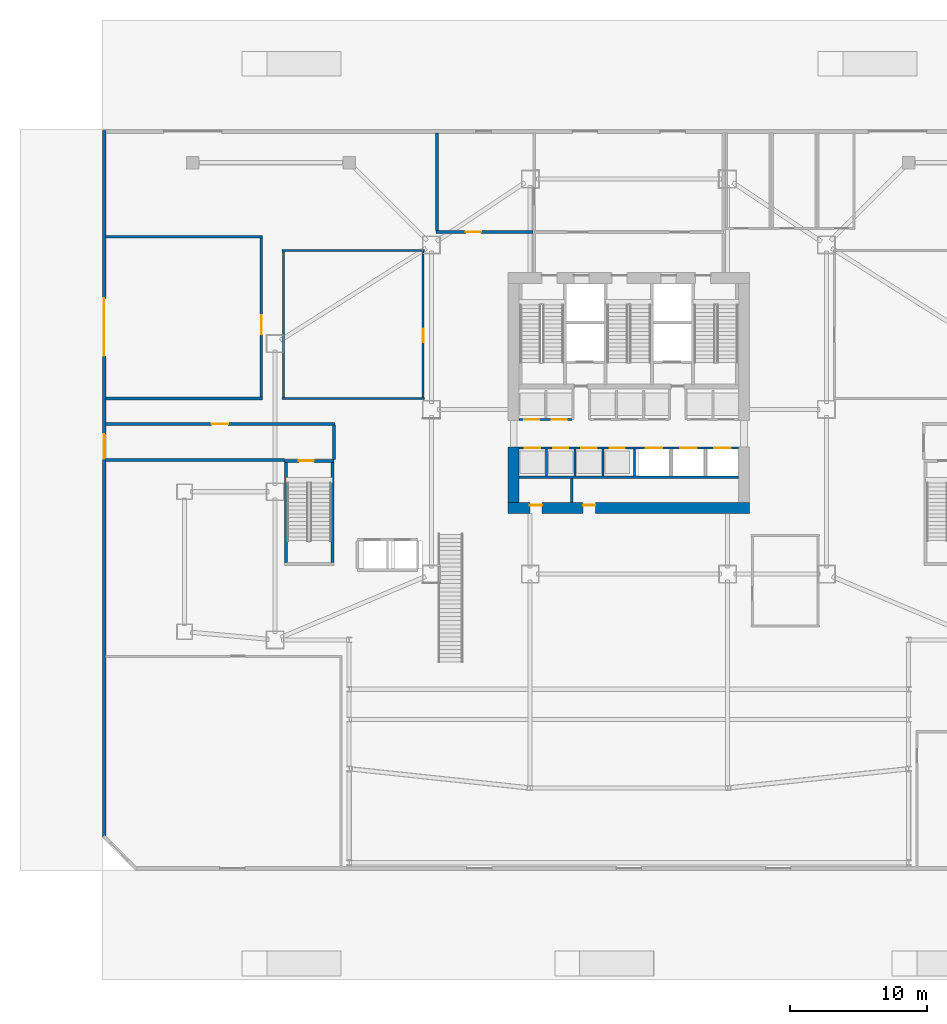
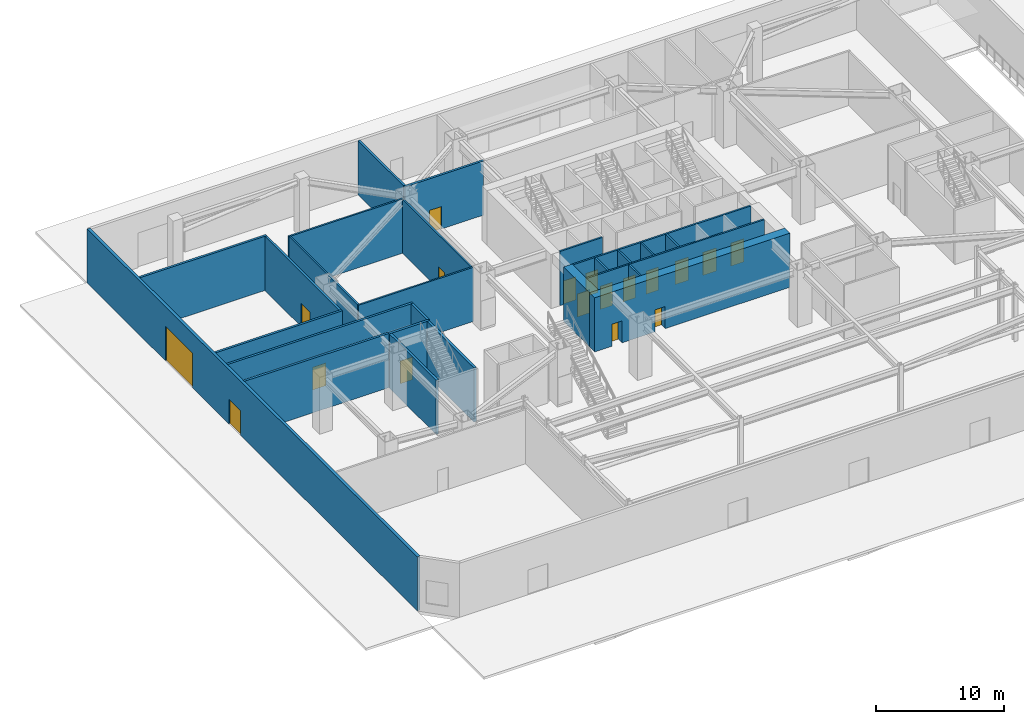
# One storey, part 10 of 20: 26 walls, 18 doors, 18 openings.
"""IFC4 building model written with IfcOpenShell, lengths in metres."""

from ifc_helpers import new_model, si_unit, direction, frame, frame_2d, origin, place, context, subcontext, project, spatial, rectangle, extrude, material, layer, layer_set, type_object, element, fill, save


model = new_model("IFC4")

# Units and contexts
model_context = context("Model", 3, precision=1e-05, world=origin(), true_north=direction((0.0, 1.0)))
body_context = subcontext(model_context, "Body", "Model", "MODEL_VIEW")
ifc_project = project(units=[si_unit("LENGTHUNIT", "METRE"), si_unit("AREAUNIT", "SQUARE_METRE"), si_unit("VOLUMEUNIT", "CUBIC_METRE"), si_unit("PLANEANGLEUNIT", "RADIAN"), si_unit("MASSUNIT", "GRAM", prefix="KILO")], contexts=[model_context])

# Site, building, storey
site_placement = place(None, origin())
site = spatial("IfcSite", under=ifc_project, at=site_placement, CompositionType="ELEMENT")
building_placement = place(site_placement, origin())
building = spatial("IfcBuilding", under=site, at=building_placement, Name="Haolan Belvedere Tower", CompositionType="ELEMENT")
storey_placement = place(building_placement, origin())
storey = spatial("IfcBuildingStorey", under=building, at=storey_placement, Name="L00", CompositionType="ELEMENT", Elevation=0.0)

# Wall, openings, doors
ifc_material_1 = material(Name="Concrete C70/85", Category="concrete")
ifc_layer_1 = layer(ifc_material_1, 0.800048828125, Name="Concrete C70/85")
ifc_layer_set_1 = layer_set([ifc_layer_1], Name="Concrete C70/85")
wall_type_1 = type_object("IfcWallType", Name="WL-CORE-800", PredefinedType="SHEAR", material=ifc_layer_set_1)
wall_1_placement = place(storey_placement, frame((29.60009765625, 26.39990234375, 0.0), z_axis=(0.0, 0.0, 1.0), x_axis=(1.0, 0.0, 0.0)))
wall_1 = element("IfcWall", 1, at=wall_1_placement, inside=storey, type_object=wall_type_1, Name="L00 central core south shear wall", PredefinedType="SHEAR", context=body_context, shape_type="SweptSolid", body=[
    extrude(rectangle(XDim=17.599853515625, YDim=0.800048828125, at=frame_2d((8.7998046875, 0.0))), origin(), (0.0, 0.0, 1.0), 5.159912109375),
])
opening_1_placement = place(wall_1_placement, frame((2.469970703125, 0.0, 0.0), z_axis=(0.0, 0.0, 1.0), x_axis=(-1.0, 0.0, 0.0)))
opening_1 = element("IfcOpeningElement", 2, at=opening_1_placement, cuts=wall_1, Name="Opening FD-05", PredefinedType="OPENING", context=body_context, shape_type="SweptSolid", body=[
    extrude(rectangle(XDim=0.89990234375, YDim=2.10009765625, at=frame_2d((0.449951171875, 1.050048828125))), frame((0.0, 0.409912109375, 0.0), z_axis=(0.0, -1.0, 0.0), x_axis=(1.0, 0.0, 0.0)), (0.0, 0.0, 1.0), 0.820068359375),
])
opening_2_placement = place(wall_1_placement, frame((6.35986328125, 0.0, 0.0), z_axis=(0.0, 0.0, 1.0), x_axis=(-1.0, 0.0, 0.0)))
opening_2 = element("IfcOpeningElement", 3, at=opening_2_placement, cuts=wall_1, Name="Opening FD-05", PredefinedType="OPENING", context=body_context, shape_type="SweptSolid", body=[
    extrude(rectangle(XDim=0.89990234375, YDim=2.10009765625, at=frame_2d((0.449951171875, 1.050048828125))), frame((0.0, 0.409912109375, 0.0), z_axis=(0.0, -1.0, 0.0), x_axis=(1.0, 0.0, 0.0)), (0.0, 0.0, 1.0), 0.820068359375),
])
ifc_material_2 = material(Name="Galvanised fire-rated steel", Category="steel")
door_type_1 = type_object("IfcDoorType", Name="DR-FD60-900", OperationType="NOTDEFINED", PredefinedType="DOOR", material=ifc_material_2)
door_1_placement = place(opening_1_placement, origin())
door_1 = element("IfcDoor", 4, at=door_1_placement, inside=storey, type_object=door_type_1, Name="L00 door CD-L00-SCV-1", OperationType="SINGLE_SWING_LEFT", OverallHeight=2.10009765625, OverallWidth=0.89990234375, PredefinedType="DOOR", context=body_context, shape_type="SweptSolid", body=[
    extrude(rectangle(XDim=0.89990234375, YDim=2.10009765625, at=frame_2d((0.449951171875, 1.050048828125))), frame((0.0, -0.19482421875, 0.0), z_axis=(0.0, -1.0, 0.0), x_axis=(1.0, 0.0, 0.0)), (0.0, 0.0, 1.0), 0.050048828125),
])
fill(opening_1, door_1)
door_2_placement = place(opening_2_placement, origin())
door_2 = element("IfcDoor", 5, at=door_2_placement, inside=storey, type_object=door_type_1, Name="L00 door CD-L00-SCV-2", OperationType="SINGLE_SWING_RIGHT", OverallHeight=2.10009765625, OverallWidth=0.89990234375, PredefinedType="DOOR", context=body_context, shape_type="SweptSolid", body=[
    extrude(rectangle(XDim=0.89990234375, YDim=2.10009765625, at=frame_2d((0.449951171875, 1.050048828125))), frame((0.0, -0.19482421875, 0.0), z_axis=(0.0, -1.0, 0.0), x_axis=(1.0, 0.0, 0.0)), (0.0, 0.0, 1.0), 0.050048828125),
])
fill(opening_2, door_2)

# Wall
wall_2_placement = place(storey_placement, frame((30.0, 26.800048828125, 0.0), z_axis=(0.0, 0.0, 1.0), x_axis=(0.0, 1.0, 0.0)))
element("IfcWall", 6, at=wall_2_placement, inside=storey, type_object=wall_type_1, Name="L00 central core shear wall WS", PredefinedType="SHEAR", context=body_context, shape_type="SweptSolid", body=[
    extrude(rectangle(XDim=4.050048828125, YDim=0.800048828125, at=frame_2d((2.02490234375, 0.0))), origin(), (0.0, 0.0, 1.0), 5.159912109375),
])

# Wall, openings, doors
ifc_material_3 = material(Name="Precast concrete C40/50", Category="concrete")
ifc_layer_2 = layer(ifc_material_3, 0.260009765625, Name="Precast concrete C40/50")
ifc_layer_set_2 = layer_set([ifc_layer_2], Name="Precast concrete C40/50")
wall_type_2 = type_object("IfcWallType", Name="WL-EXT-260", PredefinedType="SOLIDWALL", material=ifc_layer_set_2)
wall_3_placement = place(storey_placement, frame((0.1298828125, 53.925048828125, 0.0), z_axis=(0.0, 0.0, 1.0), x_axis=(0.0, -1.0, 0.0)))
wall_3 = element("IfcWall", 7, at=wall_3_placement, inside=storey, type_object=wall_type_2, Name="L00 pale-metal exterior spandrel wall 4.1", PredefinedType="SOLIDWALL", context=body_context, shape_type="SweptSolid", body=[
    extrude(rectangle(XDim=51.5263671875, YDim=0.260009765625, at=frame_2d((25.76318359375, 0.0))), origin(), (0.0, 0.0, 1.0), 5.159912109375),
])
opening_3_placement = place(wall_3_placement, frame((23.925048828125, 0.0, 0.0), z_axis=(0.0, 0.0, 1.0), x_axis=(-1.0, 0.0, 0.0)))
opening_3 = element("IfcOpeningElement", 8, at=opening_3_placement, cuts=wall_3, Name="Opening ED-01", PredefinedType="OPENING", context=body_context, shape_type="SweptSolid", body=[
    extrude(rectangle(XDim=1.800048828125, YDim=2.35009765625, at=frame_2d((0.89990234375, 1.175048828125))), frame((0.0, 0.139892578125, 0.0), z_axis=(0.0, -1.0, 0.0), x_axis=(1.0, 0.0, 0.0)), (0.0, 0.0, 1.0), 0.280029296875),
])
opening_4_placement = place(wall_3_placement, frame((16.425048828125, 0.0, 0.0), z_axis=(0.0, 0.0, 1.0), x_axis=(-1.0, 0.0, 0.0)))
opening_4 = element("IfcOpeningElement", 9, at=opening_4_placement, cuts=wall_3, Name="Opening VG-02", PredefinedType="OPENING", context=body_context, shape_type="SweptSolid", body=[
    extrude(rectangle(XDim=4.199951171875, YDim=3.300048828125, at=frame_2d((2.10009765625, 1.64990234375))), frame((0.0, 0.139892578125, 0.0), z_axis=(0.0, -1.0, 0.0), x_axis=(1.0, 0.0, 0.0)), (0.0, 0.0, 1.0), 0.280029296875),
])
ifc_material_4 = material(Name="Anodised aluminium and tempered glass", Category="aluminium")
door_type_2 = type_object("IfcDoorType", Name="DR-EXT-EXIT-1800", OperationType="DOUBLE_DOOR_SINGLE_SWING", PredefinedType="DOOR", material=ifc_material_4)
door_3_placement = place(opening_3_placement, origin())
door_3 = element("IfcDoor", 10, at=door_3_placement, inside=storey, type_object=door_type_2, Name="L00 west stair ST4 exit discharge door", OperationType="DOUBLE_DOOR_SINGLE_SWING", OverallHeight=2.35009765625, OverallWidth=1.800048828125, PredefinedType="DOOR", context=body_context, shape_type="SweptSolid", body=[
    extrude(rectangle(XDim=1.800048828125, YDim=2.35009765625, at=frame_2d((0.89990234375, 1.175048828125))), frame((0.0, 0.02490234375, 0.0), z_axis=(0.0, -1.0, 0.0), x_axis=(1.0, 0.0, 0.0)), (0.0, 0.0, 1.0), 0.050048828125),
])
fill(opening_3, door_3)
ifc_material_5 = material(Name="Insulated aluminium service bay shutter gate", Category="aluminium")
door_type_3 = type_object("IfcDoorType", Name="DR-GATE-4200", OperationType="SLIDING_TO_RIGHT", PredefinedType="GATE", material=ifc_material_5)
door_4_placement = place(opening_4_placement, origin())
door_4 = element("IfcDoor", 11, at=door_4_placement, inside=storey, type_object=door_type_3, Name="L00 west loading bay service vehicle gate VG-02", OperationType="SLIDING_TO_RIGHT", OverallHeight=3.300048828125, OverallWidth=4.199951171875, PredefinedType="GATE", context=body_context, shape_type="SweptSolid", body=[
    extrude(rectangle(XDim=4.199951171875, YDim=3.300048828125, at=frame_2d((2.10009765625, 1.64990234375))), frame((0.0, 0.02490234375, 0.0), z_axis=(0.0, -1.0, 0.0), x_axis=(1.0, 0.0, 0.0)), (0.0, 0.0, 1.0), 0.050048828125),
])
fill(opening_4, door_4)

# Wall, opening, door
ifc_material_6 = material(Name="Concrete C40/50", Category="concrete")
ifc_layer_3 = layer(ifc_material_6, 0.199951171875, Name="Concrete C40/50")
ifc_layer_set_3 = layer_set([ifc_layer_3], Name="Concrete C40/50")
wall_type_3 = type_object("IfcWallType", Name="WL-FIRE-200", PredefinedType="SOLIDWALL", material=ifc_layer_set_3)
wall_4_placement = place(storey_placement, frame((0.2451171875, 32.550048828125, 0.0), z_axis=(0.0, 0.0, 1.0), x_axis=(1.0, 0.0, 0.0)))
wall_4 = element("IfcWall", 12, at=wall_4_placement, inside=storey, type_object=wall_type_3, Name="L00 interior partition IW-L00-EXP-W-N", PredefinedType="SOLIDWALL", context=body_context, shape_type="SweptSolid", body=[
    extrude(rectangle(XDim=16.73486328125, YDim=0.199951171875, at=frame_2d((8.367431640625, 0.0))), origin(), (0.0, 0.0, 1.0), 5.159912109375),
])
opening_5_placement = place(wall_4_placement, frame((8.925048828125, 0.0, 0.0), z_axis=(0.0, 0.0, 1.0), x_axis=(-1.0, 0.0, 0.0)))
opening_5 = element("IfcOpeningElement", 13, at=opening_5_placement, cuts=wall_4, Name="Opening FD-02", PredefinedType="OPENING", context=body_context, shape_type="SweptSolid", body=[
    extrude(rectangle(XDim=1.199951171875, YDim=2.14990234375, at=frame_2d((0.60009765625, 1.074951171875))), frame((0.0, 0.10986328125, 0.0), z_axis=(0.0, -1.0, 0.0), x_axis=(1.0, 0.0, 0.0)), (0.0, 0.0, 1.0), 0.219970703125),
])
door_type_4 = type_object("IfcDoorType", Name="DR-FD90-1200", OperationType="NOTDEFINED", PredefinedType="DOOR", material=ifc_material_2)
door_5_placement = place(opening_5_placement, origin())
door_5 = element("IfcDoor", 14, at=door_5_placement, inside=storey, type_object=door_type_4, Name="L00 door ID-L00-EXP-W", OperationType="SINGLE_SWING_LEFT", OverallHeight=2.14990234375, OverallWidth=1.199951171875, PredefinedType="DOOR", context=body_context, shape_type="SweptSolid", body=[
    extrude(rectangle(XDim=1.199951171875, YDim=2.14990234375, at=frame_2d((0.60009765625, 1.074951171875))), frame((0.0, 0.02490234375, 0.0), z_axis=(0.0, -1.0, 0.0), x_axis=(1.0, 0.0, 0.0)), (0.0, 0.0, 1.0), 0.050048828125),
])
fill(opening_5, door_5)

# Walls
wall_5_placement = place(storey_placement, frame((16.89990234375, 29.955078125, 0.0), z_axis=(0.0, 0.0, 1.0), x_axis=(0.0, 1.0, 0.0)))
element("IfcWall", 15, at=wall_5_placement, inside=storey, type_object=wall_type_3, Name="L00 interior partition IW-L00-EXP-W-E", PredefinedType="SOLIDWALL", context=body_context, shape_type="SweptSolid", body=[
    extrude(rectangle(XDim=2.510009765625, YDim=0.199951171875, at=frame_2d((1.2548828125, 0.0))), origin(), (0.0, 0.0, 1.0), 5.159912109375),
])
wall_6_placement = place(storey_placement, frame((0.25, 29.919921875, 0.0), z_axis=(0.0, 0.0, 1.0), x_axis=(1.0, 0.0, 0.0)))
element("IfcWall", 16, at=wall_6_placement, inside=storey, type_object=wall_type_3, Name="L00 interior partition IW-L00-EXP-W-SW", PredefinedType="SOLIDWALL", context=body_context, shape_type="SweptSolid", body=[
    extrude(rectangle(XDim=13.028076171875, YDim=0.199951171875, at=frame_2d((6.51416015625, 0.0))), origin(), (0.0, 0.0, 1.0), 5.159912109375),
])

# Wall, opening, door
wall_7_placement = place(storey_placement, frame((24.320068359375, 46.550048828125, 0.0), z_axis=(0.0, 0.0, 1.0), x_axis=(1.0, 0.0, 0.0)))
wall_7 = element("IfcWall", 17, at=wall_7_placement, inside=storey, type_object=wall_type_3, Name="L00 interior partition IW-L00-FCR-S", PredefinedType="SOLIDWALL", context=body_context, shape_type="SweptSolid", body=[
    extrude(rectangle(XDim=7.094970703125, YDim=0.199951171875, at=frame_2d((3.54736328125, 0.0))), origin(), (0.0, 0.0, 1.0), 5.159912109375),
])
opening_6_placement = place(wall_7_placement, frame((2.199951171875, 0.0, 0.0)))
opening_6 = element("IfcOpeningElement", 18, at=opening_6_placement, cuts=wall_7, Name="Opening FD-03", PredefinedType="OPENING", context=body_context, shape_type="SweptSolid", body=[
    extrude(rectangle(XDim=1.10009765625, YDim=2.14990234375, at=frame_2d((0.550048828125, 1.074951171875))), frame((0.0, 0.10986328125, 0.0), z_axis=(0.0, -1.0, 0.0), x_axis=(1.0, 0.0, 0.0)), (0.0, 0.0, 1.0), 0.219970703125),
])
door_type_5 = type_object("IfcDoorType", Name="DR-FD90-1100", OperationType="NOTDEFINED", PredefinedType="DOOR", material=ifc_material_2)
door_6_placement = place(opening_6_placement, origin())
door_6 = element("IfcDoor", 19, at=door_6_placement, inside=storey, type_object=door_type_5, Name="L00 door ID-L00-FCR", OperationType="SINGLE_SWING_LEFT", OverallHeight=2.14990234375, OverallWidth=1.10009765625, PredefinedType="DOOR", context=body_context, shape_type="SweptSolid", body=[
    extrude(rectangle(XDim=1.10009765625, YDim=2.14990234375, at=frame_2d((0.550048828125, 1.074951171875))), frame((0.0, 0.02490234375, 0.0), z_axis=(0.0, -1.0, 0.0), x_axis=(1.0, 0.0, 0.0)), (0.0, 0.0, 1.0), 0.050048828125),
])
fill(opening_6, door_6)

# Walls
wall_8_placement = place(storey_placement, frame((24.39990234375, 46.635009765625, 0.0), z_axis=(0.0, 0.0, 1.0), x_axis=(0.0, 1.0, 0.0)))
element("IfcWall", 20, at=wall_8_placement, inside=storey, type_object=wall_type_3, Name="L00 interior partition IW-L00-FCR-W", PredefinedType="SOLIDWALL", context=body_context, shape_type="SweptSolid", body=[
    extrude(rectangle(XDim=7.119873046875, YDim=0.199951171875, at=frame_2d((3.56005859375, 0.0))), origin(), (0.0, 0.0, 1.0), 5.159912109375),
])
for number, where, z_axis, x_axis, name in (
    (21, (0.2451171875, 46.199951171875, 0.0), (0.0, 0.0, 1.0), (1.0, 0.0, 0.0), "L00 interior partition IW-L00-LOAD-N"),
    (22, (0.2451171875, 34.39990234375, 0.0), (0.0, 0.0, 1.0), (1.0, 0.0, 0.0), "L00 interior partition IW-L00-LOAD-S"),
):
    element("IfcWall", number, at=place(storey_placement, frame(where, z_axis=z_axis, x_axis=x_axis)), inside=storey, type_object=wall_type_3, Name=name, PredefinedType="SOLIDWALL", context=body_context, shape_type="SweptSolid", body=[
        extrude(rectangle(XDim=11.434814453125, YDim=0.199951171875, at=frame_2d((5.71728515625, 0.0))), origin(), (0.0, 0.0, 1.0), 5.159912109375),
    ])

# Wall, opening, door
wall_9_placement = place(storey_placement, frame((11.60009765625, 34.485107421875, 0.0), z_axis=(0.0, 0.0, 1.0), x_axis=(0.0, 1.0, 0.0)))
wall_9 = element("IfcWall", 23, at=wall_9_placement, inside=storey, type_object=wall_type_3, Name="L00 interior partition IW-L00-LOAD-E", PredefinedType="SOLIDWALL", context=body_context, shape_type="SweptSolid", body=[
    extrude(rectangle(XDim=11.6298828125, YDim=0.199951171875, at=frame_2d((5.81494140625, 0.0))), origin(), (0.0, 0.0, 1.0), 5.159912109375),
])
opening_7_placement = place(wall_9_placement, frame((4.583984375, 0.0, 0.0)))
opening_7 = element("IfcOpeningElement", 24, at=opening_7_placement, cuts=wall_9, Name="Opening FD-01", PredefinedType="OPENING", context=body_context, shape_type="SweptSolid", body=[
    extrude(rectangle(XDim=1.39990234375, YDim=2.199951171875, at=frame_2d((0.699951171875, 1.10009765625))), frame((0.0, 0.10986328125, 0.0), z_axis=(0.0, -1.0, 0.0), x_axis=(1.0, 0.0, 0.0)), (0.0, 0.0, 1.0), 0.219970703125),
])
door_type_6 = type_object("IfcDoorType", Name="DR-FD90-1400", OperationType="DOUBLE_DOOR_SINGLE_SWING", PredefinedType="DOOR", material=ifc_material_2)
door_7_placement = place(opening_7_placement, origin())
door_7 = element("IfcDoor", 25, at=door_7_placement, inside=storey, type_object=door_type_6, Name="L00 door ID-L00-LOAD", OperationType="DOUBLE_DOOR_SINGLE_SWING", OverallHeight=2.199951171875, OverallWidth=1.39990234375, PredefinedType="DOOR", context=body_context, shape_type="SweptSolid", body=[
    extrude(rectangle(XDim=1.39990234375, YDim=2.199951171875, at=frame_2d((0.699951171875, 1.10009765625))), frame((0.0, 0.02490234375, 0.0), z_axis=(0.0, -1.0, 0.0), x_axis=(1.0, 0.0, 0.0)), (0.0, 0.0, 1.0), 0.050048828125),
])
fill(opening_7, door_7)

# Walls
ifc_material_7 = material(Name="Double gypsum acoustic stud partition", Category="masonry")
ifc_layer_4 = layer(ifc_material_7, 0.14990234375, Name="Double gypsum acoustic stud partition")
ifc_layer_set_4 = layer_set([ifc_layer_4], Name="Double gypsum acoustic stud partition")
wall_type_4 = type_object("IfcWallType", Name="WL-PART-150", PredefinedType="PARTITIONING", material=ifc_layer_set_4)
wall_10_placement = place(storey_placement, frame((30.39990234375, 28.659912109375, 0.0), z_axis=(0.0, 0.0, 1.0), x_axis=(1.0, 0.0, 0.0)))
element("IfcWall", 26, at=wall_10_placement, inside=storey, type_object=wall_type_4, Name="L00 interior partition IW-L00-SSTRIP-N", PredefinedType="PARTITIONING", context=body_context, shape_type="SweptSolid", body=[
    extrude(rectangle(XDim=16.0, YDim=0.14990234375, at=frame_2d((8.0, 0.0))), origin(), (0.0, 0.0, 1.0), 5.159912109375),
])
wall_11_placement = place(storey_placement, frame((34.22998046875, 26.81005859375, 0.0), z_axis=(0.0, 0.0, 1.0), x_axis=(0.0, 1.0, 0.0)))
element("IfcWall", 27, at=wall_11_placement, inside=storey, type_object=wall_type_4, Name="L00 interior partition IW-L00-SCV-DIV-1", PredefinedType="PARTITIONING", context=body_context, shape_type="SweptSolid", body=[
    extrude(rectangle(XDim=1.77001953125, YDim=0.14990234375, at=frame_2d((0.885009765625, 0.0))), origin(), (0.0, 0.0, 1.0), 5.159912109375),
])
for number, where, z_axis, x_axis, name in (
    (28, (13.1201171875, 45.199951171875, 0.0), (0.0, 0.0, 1.0), (1.0, 0.0, 0.0), "L00 interior partition IW-L00-TEA-N"),
    (29, (13.1201171875, 34.39990234375, 0.0), (0.0, 0.0, 1.0), (1.0, 0.0, 0.0), "L00 interior partition IW-L00-TEA-S"),
):
    element("IfcWall", number, at=place(storey_placement, frame(where, z_axis=z_axis, x_axis=x_axis)), inside=storey, type_object=wall_type_4, Name=name, PredefinedType="PARTITIONING", context=body_context, shape_type="SweptSolid", body=[
        extrude(rectangle(XDim=10.35986328125, YDim=0.14990234375, at=frame_2d((5.179931640625, 0.0))), origin(), (0.0, 0.0, 1.0), 5.159912109375),
    ])
wall_12_placement = place(storey_placement, frame((13.199951171875, 34.4599609375, 0.0), z_axis=(0.0, 0.0, 1.0), x_axis=(0.0, 1.0, 0.0)))
element("IfcWall", 30, at=wall_12_placement, inside=storey, type_object=wall_type_4, Name="L00 interior partition IW-L00-TEA-W", PredefinedType="PARTITIONING", context=body_context, shape_type="SweptSolid", body=[
    extrude(rectangle(XDim=10.679931640625, YDim=0.14990234375, at=frame_2d((5.33984375, 0.0))), origin(), (0.0, 0.0, 1.0), 5.159912109375),
])

# Wall, opening, door
wall_13_placement = place(storey_placement, frame((23.39990234375, 34.4599609375, 0.0), z_axis=(0.0, 0.0, 1.0), x_axis=(0.0, 1.0, 0.0)))
wall_13 = element("IfcWall", 31, at=wall_13_placement, inside=storey, type_object=wall_type_4, Name="L00 interior partition IW-L00-TEA-E", PredefinedType="PARTITIONING", context=body_context, shape_type="SweptSolid", body=[
    extrude(rectangle(XDim=10.679931640625, YDim=0.14990234375, at=frame_2d((5.33984375, 0.0))), origin(), (0.0, 0.0, 1.0), 5.159912109375),
])
opening_8_placement = place(wall_13_placement, frame((5.010009765625, 0.0, 0.0), z_axis=(0.0, 0.0, 1.0), x_axis=(-1.0, 0.0, 0.0)))
opening_8 = element("IfcOpeningElement", 32, at=opening_8_placement, cuts=wall_13, Name="Opening ID-03", PredefinedType="OPENING", context=body_context, shape_type="SweptSolid", body=[
    extrude(rectangle(XDim=0.949951171875, YDim=2.1201171875, at=frame_2d((0.47509765625, 1.06005859375))), frame((0.0, 0.0849609375, 0.0), z_axis=(0.0, -1.0, 0.0), x_axis=(1.0, 0.0, 0.0)), (0.0, 0.0, 1.0), 0.169921875),
])
ifc_material_8 = material(Name="Painted solid-core timber", Category="wood")
door_type_7 = type_object("IfcDoorType", Name="DR-INT-950", OperationType="NOTDEFINED", PredefinedType="DOOR", material=ifc_material_8)
door_8_placement = place(opening_8_placement, origin())
door_8 = element("IfcDoor", 33, at=door_8_placement, inside=storey, type_object=door_type_7, Name="L00 door ID-L00-TEA", OperationType="SINGLE_SWING_LEFT", OverallHeight=2.1201171875, OverallWidth=0.949951171875, PredefinedType="DOOR", context=body_context, shape_type="SweptSolid", body=[
    extrude(rectangle(XDim=0.949951171875, YDim=2.1201171875, at=frame_2d((0.47509765625, 1.06005859375))), frame((0.0, 0.02490234375, 0.0), z_axis=(0.0, -1.0, 0.0), x_axis=(1.0, 0.0, 0.0)), (0.0, 0.0, 1.0), 0.050048828125),
])
fill(opening_8, door_8)

# Wall, openings, doors
ifc_material_9 = material(Name="Gypsum fire shaftwall assembly", Category="masonry")
ifc_layer_5 = layer(ifc_material_9, 0.1650390625, Name="Gypsum fire shaftwall assembly")
ifc_layer_set_5 = layer_set([ifc_layer_5], Name="Gypsum fire shaftwall assembly")
wall_type_5 = type_object("IfcWallType", Name="WL-SHAFT-160", PredefinedType="SOLIDWALL", material=ifc_layer_set_5)
wall_14_placement = place(storey_placement, frame((30.39990234375, 32.8798828125, 0.0), z_axis=(0.0, 0.0, 1.0), x_axis=(1.0, 0.0, 0.0)))
wall_14 = element("IfcWall", 34, at=wall_14_placement, inside=storey, type_object=wall_type_5, Name="L00 interior partition IW-L00-ROW-PN1", PredefinedType="SOLIDWALL", context=body_context, shape_type="SweptSolid", body=[
    extrude(rectangle(XDim=3.85009765625, YDim=0.159912109375, at=frame_2d((1.925048828125, 0.0))), origin(), (0.0, 0.0, 1.0), 5.159912109375),
])
opening_9_placement = place(wall_14_placement, frame((1.47998046875, 0.0, 0.0), z_axis=(0.0, 0.0, 1.0), x_axis=(-1.0, 0.0, 0.0)))
opening_9 = element("IfcOpeningElement", 35, at=opening_9_placement, cuts=wall_14, Name="Opening LD-01", PredefinedType="OPENING", context=body_context, shape_type="SweptSolid", body=[
    extrude(rectangle(XDim=1.10009765625, YDim=2.199951171875, at=frame_2d((0.550048828125, 1.10009765625))), frame((0.0, 0.08984375, 0.0), z_axis=(0.0, -1.0, 0.0), x_axis=(1.0, 0.0, 0.0)), (0.0, 0.0, 1.0), 0.179931640625),
])
opening_10_placement = place(wall_14_placement, frame((3.47021484375, 0.0, 0.0), z_axis=(0.0, 0.0, 1.0), x_axis=(-1.0, 0.0, 0.0)))
opening_10 = element("IfcOpeningElement", 36, at=opening_10_placement, cuts=wall_14, Name="Opening LD-01", PredefinedType="OPENING", context=body_context, shape_type="SweptSolid", body=[
    extrude(rectangle(XDim=1.10009765625, YDim=2.199951171875, at=frame_2d((0.550048828125, 1.10009765625))), frame((0.0, 0.08984375, 0.0), z_axis=(0.0, -1.0, 0.0), x_axis=(1.0, 0.0, 0.0)), (0.0, 0.0, 1.0), 0.179931640625),
])
ifc_material_10 = material(Name="Brushed champagne stainless steel 316L", Category="steel")
door_type_8 = type_object("IfcDoorType", Name="DR-LIFT-1100", OperationType="SLIDING_TO_LEFT", PredefinedType="DOOR", material=ifc_material_10)
door_9_placement = place(opening_9_placement, origin())
door_9 = element("IfcDoor", 37, at=door_9_placement, inside=storey, type_object=door_type_8, Name="L00 door ID-L00-LD-PL1", OperationType="SLIDING_TO_LEFT", OverallHeight=2.199951171875, OverallWidth=1.10009765625, PredefinedType="DOOR", context=body_context, shape_type="SweptSolid", body=[
    extrude(rectangle(XDim=1.10009765625, YDim=2.199951171875, at=frame_2d((0.550048828125, 1.10009765625))), frame((0.0, 0.02490234375, 0.0), z_axis=(0.0, -1.0, 0.0), x_axis=(1.0, 0.0, 0.0)), (0.0, 0.0, 1.0), 0.050048828125),
])
fill(opening_9, door_9)
door_10_placement = place(opening_10_placement, origin())
door_10 = element("IfcDoor", 38, at=door_10_placement, inside=storey, type_object=door_type_8, Name="L00 door ID-L00-LD-PL2", OperationType="SLIDING_TO_LEFT", OverallHeight=2.199951171875, OverallWidth=1.10009765625, PredefinedType="DOOR", context=body_context, shape_type="SweptSolid", body=[
    extrude(rectangle(XDim=1.10009765625, YDim=2.199951171875, at=frame_2d((0.550048828125, 1.10009765625))), frame((0.0, 0.02490234375, 0.0), z_axis=(0.0, -1.0, 0.0), x_axis=(1.0, 0.0, 0.0)), (0.0, 0.0, 1.0), 0.050048828125),
])
fill(opening_10, door_10)

wall_15_placement = place(storey_placement, frame((30.39990234375, 30.800048828125, 0.0), z_axis=(0.0, 0.0, 1.0), x_axis=(1.0, 0.0, 0.0)))
wall_15 = element("IfcWall", 39, at=wall_15_placement, inside=storey, type_object=wall_type_5, Name="L00 interior partition IW-L00-ROW-PS", PredefinedType="SOLIDWALL", context=body_context, shape_type="SweptSolid", body=[
    extrude(rectangle(XDim=16.0, YDim=0.159912109375, at=frame_2d((8.0, 0.0))), origin(), (0.0, 0.0, 1.0), 5.159912109375),
])
opening_11_placement = place(wall_15_placement, frame((0.419921875, 0.0, 0.0)))
opening_11 = element("IfcOpeningElement", 40, at=opening_11_placement, cuts=wall_15, Name="Opening LD-01", PredefinedType="OPENING", context=body_context, shape_type="SweptSolid", body=[
    extrude(rectangle(XDim=1.10009765625, YDim=2.199951171875, at=frame_2d((0.550048828125, 1.10009765625))), frame((0.0, 0.08984375, 0.0), z_axis=(0.0, -1.0, 0.0), x_axis=(1.0, 0.0, 0.0)), (0.0, 0.0, 1.0), 0.179931640625),
])
opening_12_placement = place(wall_15_placement, frame((2.47998046875, 0.0, 0.0)))
opening_12 = element("IfcOpeningElement", 41, at=opening_12_placement, cuts=wall_15, Name="Opening LD-01", PredefinedType="OPENING", context=body_context, shape_type="SweptSolid", body=[
    extrude(rectangle(XDim=1.10009765625, YDim=2.199951171875, at=frame_2d((0.550048828125, 1.10009765625))), frame((0.0, 0.08984375, 0.0), z_axis=(0.0, -1.0, 0.0), x_axis=(1.0, 0.0, 0.0)), (0.0, 0.0, 1.0), 0.179931640625),
])
opening_13_placement = place(wall_15_placement, frame((4.5400390625, 0.0, 0.0)))
opening_13 = element("IfcOpeningElement", 42, at=opening_13_placement, cuts=wall_15, Name="Opening LD-01", PredefinedType="OPENING", context=body_context, shape_type="SweptSolid", body=[
    extrude(rectangle(XDim=1.10009765625, YDim=2.199951171875, at=frame_2d((0.550048828125, 1.10009765625))), frame((0.0, 0.08984375, 0.0), z_axis=(0.0, -1.0, 0.0), x_axis=(1.0, 0.0, 0.0)), (0.0, 0.0, 1.0), 0.179931640625),
])
opening_14_placement = place(wall_15_placement, frame((6.60009765625, 0.0, 0.0)))
opening_14 = element("IfcOpeningElement", 43, at=opening_14_placement, cuts=wall_15, Name="Opening LD-01", PredefinedType="OPENING", context=body_context, shape_type="SweptSolid", body=[
    extrude(rectangle(XDim=1.10009765625, YDim=2.199951171875, at=frame_2d((0.550048828125, 1.10009765625))), frame((0.0, 0.08984375, 0.0), z_axis=(0.0, -1.0, 0.0), x_axis=(1.0, 0.0, 0.0)), (0.0, 0.0, 1.0), 0.179931640625),
])
opening_15_placement = place(wall_15_placement, frame((9.219970703125, 0.0, 0.0)))
opening_15 = element("IfcOpeningElement", 44, at=opening_15_placement, cuts=wall_15, Name="Opening LD-02", PredefinedType="OPENING", context=body_context, shape_type="SweptSolid", body=[
    extrude(rectangle(XDim=1.199951171875, YDim=2.199951171875, at=frame_2d((0.60009765625, 1.10009765625))), frame((0.0, 0.08984375, 0.0), z_axis=(0.0, -1.0, 0.0), x_axis=(1.0, 0.0, 0.0)), (0.0, 0.0, 1.0), 0.179931640625),
])
opening_16_placement = place(wall_15_placement, frame((11.72998046875, 0.0, 0.0)))
opening_16 = element("IfcOpeningElement", 45, at=opening_16_placement, cuts=wall_15, Name="Opening LD-02", PredefinedType="OPENING", context=body_context, shape_type="SweptSolid", body=[
    extrude(rectangle(XDim=1.199951171875, YDim=2.199951171875, at=frame_2d((0.60009765625, 1.10009765625))), frame((0.0, 0.08984375, 0.0), z_axis=(0.0, -1.0, 0.0), x_axis=(1.0, 0.0, 0.0)), (0.0, 0.0, 1.0), 0.179931640625),
])
opening_17_placement = place(wall_15_placement, frame((14.239990234375, 0.0, 0.0)))
opening_17 = element("IfcOpeningElement", 46, at=opening_17_placement, cuts=wall_15, Name="Opening LD-02", PredefinedType="OPENING", context=body_context, shape_type="SweptSolid", body=[
    extrude(rectangle(XDim=1.199951171875, YDim=2.199951171875, at=frame_2d((0.60009765625, 1.10009765625))), frame((0.0, 0.08984375, 0.0), z_axis=(0.0, -1.0, 0.0), x_axis=(1.0, 0.0, 0.0)), (0.0, 0.0, 1.0), 0.179931640625),
])
door_11_placement = place(opening_11_placement, origin())
door_11 = element("IfcDoor", 47, at=door_11_placement, inside=storey, type_object=door_type_8, Name="L00 door ID-L00-LD-PM1", OperationType="SLIDING_TO_LEFT", OverallHeight=2.199951171875, OverallWidth=1.10009765625, PredefinedType="DOOR", context=body_context, shape_type="SweptSolid", body=[
    extrude(rectangle(XDim=1.10009765625, YDim=2.199951171875, at=frame_2d((0.550048828125, 1.10009765625))), frame((0.0, 0.02490234375, 0.0), z_axis=(0.0, -1.0, 0.0), x_axis=(1.0, 0.0, 0.0)), (0.0, 0.0, 1.0), 0.050048828125),
])
fill(opening_11, door_11)
door_12_placement = place(opening_12_placement, origin())
door_12 = element("IfcDoor", 48, at=door_12_placement, inside=storey, type_object=door_type_8, Name="L00 door ID-L00-LD-PM2", OperationType="SLIDING_TO_LEFT", OverallHeight=2.199951171875, OverallWidth=1.10009765625, PredefinedType="DOOR", context=body_context, shape_type="SweptSolid", body=[
    extrude(rectangle(XDim=1.10009765625, YDim=2.199951171875, at=frame_2d((0.550048828125, 1.10009765625))), frame((0.0, 0.02490234375, 0.0), z_axis=(0.0, -1.0, 0.0), x_axis=(1.0, 0.0, 0.0)), (0.0, 0.0, 1.0), 0.050048828125),
])
fill(opening_12, door_12)
door_13_placement = place(opening_13_placement, origin())
door_13 = element("IfcDoor", 49, at=door_13_placement, inside=storey, type_object=door_type_8, Name="L00 door ID-L00-LD-PM3", OperationType="SLIDING_TO_LEFT", OverallHeight=2.199951171875, OverallWidth=1.10009765625, PredefinedType="DOOR", context=body_context, shape_type="SweptSolid", body=[
    extrude(rectangle(XDim=1.10009765625, YDim=2.199951171875, at=frame_2d((0.550048828125, 1.10009765625))), frame((0.0, 0.02490234375, 0.0), z_axis=(0.0, -1.0, 0.0), x_axis=(1.0, 0.0, 0.0)), (0.0, 0.0, 1.0), 0.050048828125),
])
fill(opening_13, door_13)
door_14_placement = place(opening_14_placement, origin())
door_14 = element("IfcDoor", 50, at=door_14_placement, inside=storey, type_object=door_type_8, Name="L00 door ID-L00-LD-PM4", OperationType="SLIDING_TO_LEFT", OverallHeight=2.199951171875, OverallWidth=1.10009765625, PredefinedType="DOOR", context=body_context, shape_type="SweptSolid", body=[
    extrude(rectangle(XDim=1.10009765625, YDim=2.199951171875, at=frame_2d((0.550048828125, 1.10009765625))), frame((0.0, 0.02490234375, 0.0), z_axis=(0.0, -1.0, 0.0), x_axis=(1.0, 0.0, 0.0)), (0.0, 0.0, 1.0), 0.050048828125),
])
fill(opening_14, door_14)
door_type_9 = type_object("IfcDoorType", Name="DR-LIFT-1200", OperationType="SLIDING_TO_RIGHT", PredefinedType="DOOR", material=ifc_material_10)
door_15_placement = place(opening_15_placement, origin())
door_15 = element("IfcDoor", 51, at=door_15_placement, inside=storey, type_object=door_type_9, Name="L00 door ID-L00-LD-OB1", OperationType="SLIDING_TO_RIGHT", OverallHeight=2.199951171875, OverallWidth=1.199951171875, PredefinedType="DOOR", context=body_context, shape_type="SweptSolid", body=[
    extrude(rectangle(XDim=1.199951171875, YDim=2.199951171875, at=frame_2d((0.60009765625, 1.10009765625))), frame((0.0, 0.02490234375, 0.0), z_axis=(0.0, -1.0, 0.0), x_axis=(1.0, 0.0, 0.0)), (0.0, 0.0, 1.0), 0.050048828125),
])
fill(opening_15, door_15)
door_16_placement = place(opening_16_placement, origin())
door_16 = element("IfcDoor", 52, at=door_16_placement, inside=storey, type_object=door_type_9, Name="L00 door ID-L00-LD-OB2", OperationType="SLIDING_TO_RIGHT", OverallHeight=2.199951171875, OverallWidth=1.199951171875, PredefinedType="DOOR", context=body_context, shape_type="SweptSolid", body=[
    extrude(rectangle(XDim=1.199951171875, YDim=2.199951171875, at=frame_2d((0.60009765625, 1.10009765625))), frame((0.0, 0.02490234375, 0.0), z_axis=(0.0, -1.0, 0.0), x_axis=(1.0, 0.0, 0.0)), (0.0, 0.0, 1.0), 0.050048828125),
])
fill(opening_16, door_16)
door_17_placement = place(opening_17_placement, origin())
door_17 = element("IfcDoor", 53, at=door_17_placement, inside=storey, type_object=door_type_9, Name="L00 door ID-L00-LD-OB3", OperationType="SLIDING_TO_RIGHT", OverallHeight=2.199951171875, OverallWidth=1.199951171875, PredefinedType="DOOR", context=body_context, shape_type="SweptSolid", body=[
    extrude(rectangle(XDim=1.199951171875, YDim=2.199951171875, at=frame_2d((0.60009765625, 1.10009765625))), frame((0.0, 0.02490234375, 0.0), z_axis=(0.0, -1.0, 0.0), x_axis=(1.0, 0.0, 0.0)), (0.0, 0.0, 1.0), 0.050048828125),
])
fill(opening_17, door_17)

# Walls
for number, where, z_axis, x_axis, name in (
    (54, (32.39990234375, 28.735107421875, 0.0), (0.0, 0.0, 1.0), (0.0, 1.0, 0.0), "L00 interior partition IW-L00-DIV-PM1"),
    (55, (34.4599609375, 28.735107421875, 0.0), (0.0, 0.0, 1.0), (0.0, 1.0, 0.0), "L00 interior partition IW-L00-DIV-PM2"),
    (56, (36.52001953125, 28.735107421875, 0.0), (0.0, 0.0, 1.0), (0.0, 1.0, 0.0), "L00 interior partition IW-L00-DIV-PM3"),
    (57, (38.800048828125, 28.735107421875, 0.0), (0.0, 0.0, 1.0), (0.0, 1.0, 0.0), "L00 interior partition IW-L00-DIV-PM4"),
):
    element("IfcWall", number, at=place(storey_placement, frame(where, z_axis=z_axis, x_axis=x_axis)), inside=storey, type_object=wall_type_5, Name=name, PredefinedType="SOLIDWALL", context=body_context, shape_type="SweptSolid", body=[
        extrude(rectangle(XDim=1.98486328125, YDim=0.14990234375, at=frame_2d((0.992431640625, 0.0))), origin(), (0.0, 0.0, 1.0), 5.159912109375),
    ])

# Wall, opening, door
ifc_material_11 = material(Name="Concrete C50/60", Category="concrete")
ifc_layer_6 = layer(ifc_material_11, 0.219970703125, Name="Concrete C50/60")
ifc_layer_set_6 = layer_set([ifc_layer_6], Name="Concrete C50/60")
wall_type_6 = type_object("IfcWallType", Name="WL-STAIR-220", PredefinedType="SHEAR", material=ifc_layer_set_6)
wall_16_placement = place(storey_placement, frame((13.280029296875, 29.860107421875, 0.0), z_axis=(0.0, 0.0, 1.0), x_axis=(1.0, 0.0, 0.0)))
wall_16 = element("IfcWall", 58, at=wall_16_placement, inside=storey, type_object=wall_type_6, Name="L00 podium stair ST4 structural shaft wall N", PredefinedType="SHEAR", context=body_context, shape_type="SweptSolid", body=[
    extrude(rectangle(XDim=3.619873046875, YDim=0.219970703125, at=frame_2d((1.81005859375, 0.0))), origin(), (0.0, 0.0, 1.0), 5.159912109375),
])
opening_18_placement = place(wall_16_placement, frame((1.050048828125, 0.0, 0.0)))
opening_18 = element("IfcOpeningElement", 59, at=opening_18_placement, cuts=wall_16, Name="Opening FD-03", PredefinedType="OPENING", context=body_context, shape_type="SweptSolid", body=[
    extrude(rectangle(XDim=1.10009765625, YDim=2.14990234375, at=frame_2d((0.550048828125, 1.074951171875))), frame((0.0, 0.119873046875, 0.0), z_axis=(0.0, -1.0, 0.0), x_axis=(1.0, 0.0, 0.0)), (0.0, 0.0, 1.0), 0.239990234375),
])
door_18_placement = place(opening_18_placement, origin())
door_18 = element("IfcDoor", 60, at=door_18_placement, inside=storey, type_object=door_type_5, Name="L00 door ID-L00-D-ST4", OperationType="SINGLE_SWING_LEFT", OverallHeight=2.14990234375, OverallWidth=1.10009765625, PredefinedType="DOOR", context=body_context, shape_type="SweptSolid", body=[
    extrude(rectangle(XDim=1.10009765625, YDim=2.14990234375, at=frame_2d((0.550048828125, 1.074951171875))), frame((0.0, 0.02490234375, 0.0), z_axis=(0.0, -1.0, 0.0), x_axis=(1.0, 0.0, 0.0)), (0.0, 0.0, 1.0), 0.050048828125),
])
fill(opening_18, door_18)

# Walls
for number, where, z_axis, x_axis, name in (
    (61, (13.389892578125, 22.449951171875, 0.0), (0.0, 0.0, 1.0), (0.0, 1.0, 0.0), "L00 podium stair ST4 structural shaft wall W"),
    (62, (16.7900390625, 22.449951171875, 0.0), (0.0, 0.0, 1.0), (0.0, 1.0, 0.0), "L00 podium stair ST4 structural shaft wall E"),
):
    element("IfcWall", number, at=place(storey_placement, frame(where, z_axis=z_axis, x_axis=x_axis)), inside=storey, type_object=wall_type_6, Name=name, PredefinedType="SHEAR", context=body_context, shape_type="SweptSolid", body=[
        extrude(rectangle(XDim=7.300048828125, YDim=0.219970703125, at=frame_2d((3.64990234375, 0.0))), origin(), (0.0, 0.0, 1.0), 5.159912109375),
    ])

save(model, "model.ifc")
